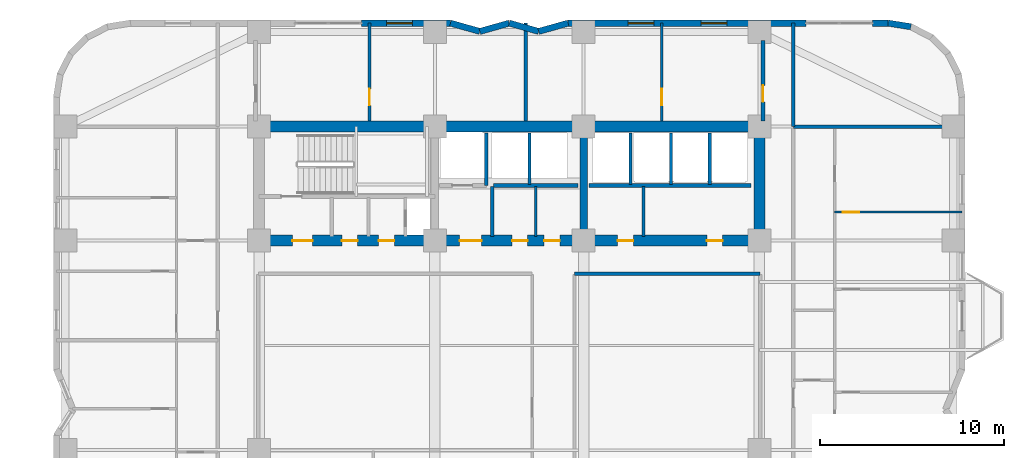
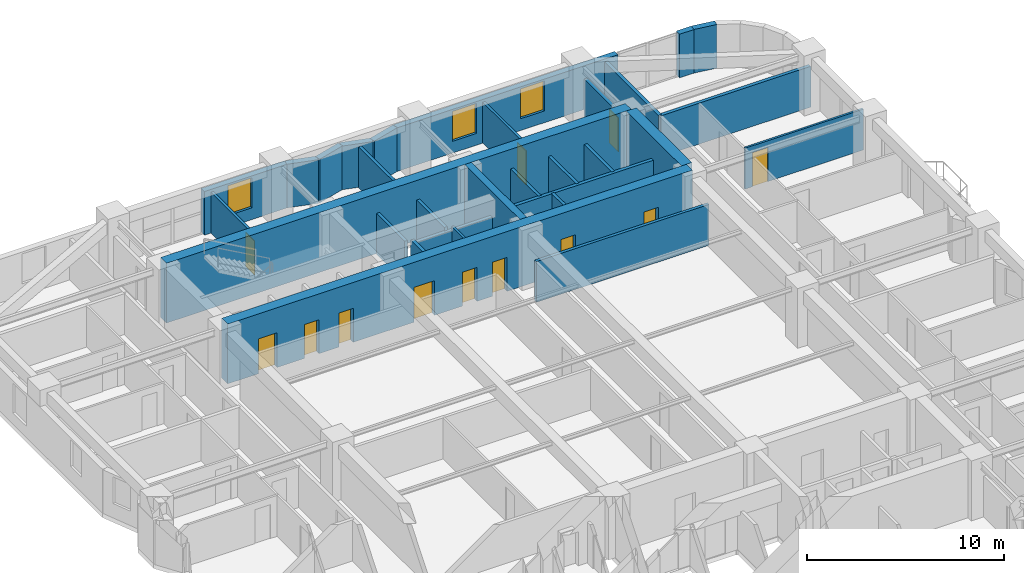
# One storey, part 10 of 13: 30 walls, 12 doors, 3 windows, 15 openings.
"""IFC4 building model written with IfcOpenShell, lengths in metres."""

import ifcopenshell
import ifcopenshell.guid

model = None  # the IFC model being written
_history = None  # IfcOwnerHistory: only IFC2X3 demands one
_inside = {}  # id of a spatial element -> (the spatial element, [elements in it])
_under = {}  # id of a project, library or spatial element -> (it, [spatial elements below it])
_declared = {}  # id of a project -> (the project, [libraries it declares])
_typed = {}  # id of a type object -> (the type object, [elements of that type])
_made_of = {}  # id of a material, layer set ... -> (it, [elements and type objects made of it])


def new_model(schema):
    """Start an empty IFC model of exactly this schema.

    Asked for "IFC4X3", IfcOpenShell would pick the latest addendum, in which some entities
    have other attributes; the version numbers below select the first issue.
    IFC2X3 requires an IfcOwnerHistory on every rooted entity: one is made here for all.
    """
    global model, _history
    if schema == "IFC4X3":
        model = ifcopenshell.file(schema_version=(4, 3, 0, 0))
    else:
        model = ifcopenshell.file(schema=schema)
    _inside.clear()
    _under.clear()
    _declared.clear()
    _typed.clear()
    _made_of.clear()
    _history = None
    if model.schema == "IFC2X3":
        org = make("IfcOrganization", Name="unknown")
        user = make(
            "IfcPersonAndOrganization",
            ThePerson=make("IfcPerson", FamilyName="unknown"),
            TheOrganization=org,
        )
        app = make(
            "IfcApplication",
            ApplicationDeveloper=org,
            Version="unknown",
            ApplicationFullName="unknown",
            ApplicationIdentifier="unknown",
        )
        _history = make(
            "IfcOwnerHistory",
            OwningUser=user,
            OwningApplication=app,
            ChangeAction="ADDED",
            CreationDate=0,
        )
    return model


def make(cls, **values):
    """One entity of the class cls with the attributes given. An attribute that is None is left unset."""
    return model.create_entity(
        cls, **{name: value for name, value in values.items() if value is not None}
    )


def rooted(cls, **values):
    """An entity with a GlobalId (a new one), such as an element, a storey or a relation."""
    return make(cls, GlobalId=ifcopenshell.guid.new(), OwnerHistory=_history, **values)


def si_unit(unit_type, name, prefix=None):
    """IfcSIUnit, for example si_unit("LENGTHUNIT", "METRE", prefix="MILLI")."""
    return make("IfcSIUnit", UnitType=unit_type, Prefix=prefix, Name=name)


def assignment(units):
    """IfcUnitAssignment: the units of a project."""
    return None if units is None else make("IfcUnitAssignment", Units=units)


def point(xyz):
    """IfcCartesianPoint."""
    return None if xyz is None else make("IfcCartesianPoint", Coordinates=xyz)


def direction(xyz):
    """IfcDirection."""
    return None if xyz is None else make("IfcDirection", DirectionRatios=xyz)


def frame(location, z_axis=None, x_axis=None):
    """IfcAxis2Placement3D, a coordinate frame: its origin and axes. An axis left out is left unset."""
    return make(
        "IfcAxis2Placement3D",
        Location=point(location),
        Axis=direction(z_axis),
        RefDirection=direction(x_axis),
    )


def frame_2d(location, x_axis=None):
    """IfcAxis2Placement2D, a coordinate frame in the plane: its origin and x axis."""
    return make(
        "IfcAxis2Placement2D", Location=point(location), RefDirection=direction(x_axis)
    )


def origin():
    """The frame at (0, 0, 0) with its axes left unset."""
    return frame((0.0, 0.0, 0.0))


def place(relative_to, where):
    """IfcLocalPlacement: puts the frame where relative to a parent placement (None: the world)."""
    return make(
        "IfcLocalPlacement", PlacementRelTo=relative_to, RelativePlacement=where
    )


def context(
    kind, dimensions, precision=None, world=None, true_north=None, identifier=None
):
    """IfcGeometricRepresentationContext, for example the 3D "Model" context."""
    return make(
        "IfcGeometricRepresentationContext",
        ContextIdentifier=identifier,
        ContextType=kind,
        CoordinateSpaceDimension=dimensions,
        Precision=precision,
        WorldCoordinateSystem=world,
        TrueNorth=true_north,
    )


def subcontext(parent, identifier, kind, view, scale=None):
    """IfcGeometricRepresentationSubContext, for example "Body" below "Model"."""
    return make(
        "IfcGeometricRepresentationSubContext",
        ContextIdentifier=identifier,
        ContextType=kind,
        ParentContext=parent,
        TargetScale=scale,
        TargetView=view,
    )


def project(units=None, contexts=None):
    """IfcProject with its units and contexts."""
    return rooted(
        "IfcProject",
        Name="project",
        RepresentationContexts=contexts,
        UnitsInContext=assignment(units),
    )


def spatial(cls, under=None, at=None, **own):
    """A site, building, storey or space (cls), placed at a placement, below another one or the project."""
    s = rooted(cls, ObjectPlacement=at, **own)
    if under is not None:
        _under.setdefault(under.id(), (under, []))[1].append(s)
    return s


def profile(cls, at=None, kind="AREA", **sizes):
    """A parametric profile (cls). Its sizes go by their IFC names, for example OverallWidth=200.0."""
    return make(cls, ProfileType=kind, Position=at, **sizes)


def rectangle(**sizes):
    """IfcRectangleProfileDef."""
    return profile("IfcRectangleProfileDef", **sizes)


def extrude(swept, where, along, depth):
    """IfcExtrudedAreaSolid: the profile swept, set in the frame where, extruded along a direction by depth."""
    return make(
        "IfcExtrudedAreaSolid",
        SweptArea=swept,
        Position=where,
        ExtrudedDirection=direction(along),
        Depth=depth,
    )


def shape(context_of_items, identifier, shape_type, items):
    """IfcShapeRepresentation: the items that make up one representation, for example the "Body"."""
    return make(
        "IfcShapeRepresentation",
        ContextOfItems=context_of_items,
        RepresentationIdentifier=identifier,
        RepresentationType=shape_type,
        Items=items,
    )


def material(Name=None, Category=None):
    """IfcMaterial."""
    return make("IfcMaterial", Name=Name, Category=Category)


def layer(
    of_material, thickness, ventilated=None, Name=None, Category=None, Priority=None
):
    """IfcMaterialLayer: one layer of a wall or slab, of a material (None: an air gap)."""
    return make(
        "IfcMaterialLayer",
        Material=of_material,
        LayerThickness=thickness,
        IsVentilated=ventilated,
        Name=Name,
        Category=Category,
        Priority=Priority,
    )


def layer_set(layers, Name=None):
    """IfcMaterialLayerSet."""
    return make("IfcMaterialLayerSet", MaterialLayers=layers, LayerSetName=Name)


def made_of(thing, what):
    """Note that an element or type object is made of a material, layer set ...; save() writes the relation."""
    if what is not None:
        _made_of.setdefault(what.id(), (what, []))[1].append(thing)
    return thing


def type_object(cls, material=None, **own):
    """A type object (cls), such as IfcWallType, which elements share."""
    return made_of(rooted(cls, **own), material)


def element(
    cls,
    number,
    at=None,
    inside=None,
    cuts=None,
    type_object=None,
    material=None,
    context=None,
    identifier="Body",
    shape_type=None,
    held_by="IfcProductDefinitionShape",
    body=None,
    shapes=None,
    **own,
):
    """One element of the class cls, such as IfcWall. Its Tag is "e" and its number.

    at: its placement. inside: the storey or other place that contains it. cuts: it is an
    opening in that element (IfcRelVoidsElement). A single representation is given by context,
    identifier, shape_type and body (its items); several are given by shapes. held_by: the class
    of the entity that holds the representations. save() writes the other relations.
    """
    e = rooted(cls, Tag="e%d" % number, ObjectPlacement=at, **own)
    if body is not None:
        shapes = [shape(context, identifier, shape_type, body)]
    if shapes is not None:
        e.Representation = make(held_by, Representations=shapes)
    if inside is not None:
        _inside.setdefault(inside.id(), (inside, []))[1].append(e)
    if cuts is not None:
        rooted(
            "IfcRelVoidsElement", RelatingBuildingElement=cuts, RelatedOpeningElement=e
        )
    if type_object is not None:
        _typed.setdefault(type_object.id(), (type_object, []))[1].append(e)
    return made_of(e, material)


def fill(opening, filler):
    """IfcRelFillsElement: the door or window that sits in an opening."""
    return rooted(
        "IfcRelFillsElement",
        RelatingOpeningElement=opening,
        RelatedBuildingElement=filler,
    )


def aggregate(whole, parts):
    """IfcRelAggregates: a whole, such as a stair, and the parts it consists of."""
    return rooted("IfcRelAggregates", RelatingObject=whole, RelatedObjects=parts)


def save(model, path):
    """Write the relations noted so far, then the file.

    IfcRelAggregates (storeys below a building ...), IfcRelContainedInSpatialStructure (elements
    in a storey), IfcRelDefinesByType, IfcRelAssociatesMaterial and IfcRelDeclares: one each for
    every whole, place, type object, material and project.
    """
    for whole, parts in _under.values():
        aggregate(whole, parts)
    for where, things in _inside.values():
        rooted(
            "IfcRelContainedInSpatialStructure",
            RelatedElements=things,
            RelatingStructure=where,
        )
    for kind, things in _typed.values():
        rooted("IfcRelDefinesByType", RelatedObjects=things, RelatingType=kind)
    for what, things in _made_of.values():
        rooted("IfcRelAssociatesMaterial", RelatedObjects=things, RelatingMaterial=what)
    for by, libraries in _declared.values():
        rooted("IfcRelDeclares", RelatingContext=by, RelatedDefinitions=libraries)
    model.write(path)


model = new_model("IFC4")

# Units and contexts
model_context = context("Model", 3, precision=1e-05, world=origin(), true_north=direction((0.0, 1.0)))
body_context = subcontext(model_context, "Body", "Model", "MODEL_VIEW")
ifc_project = project(units=[si_unit("LENGTHUNIT", "METRE"), si_unit("AREAUNIT", "SQUARE_METRE"), si_unit("VOLUMEUNIT", "CUBIC_METRE"), si_unit("PLANEANGLEUNIT", "RADIAN"), si_unit("MASSUNIT", "GRAM", prefix="KILO")], contexts=[model_context])

# Site, building, storey
site_placement = place(None, origin())
site = spatial("IfcSite", under=ifc_project, at=site_placement, CompositionType="ELEMENT")
building_placement = place(site_placement, origin())
building = spatial("IfcBuilding", under=site, at=building_placement, Name="Svetorya Sky Lyceum", CompositionType="ELEMENT")
storey_placement = place(building_placement, frame((0.0, 0.0, 39.89990234375)))
storey = spatial("IfcBuildingStorey", under=building, at=storey_placement, Name="L09", CompositionType="ELEMENT", Elevation=39.89990234375)

# Walls
ifc_material_1 = material(Name="Concrete C40/50", Category="concrete")
ifc_layer_1 = layer(ifc_material_1, 0.39990234375)
ifc_layer_set_1 = layer_set([ifc_layer_1], Name="Concrete C40/50")
wall_type_1 = type_object("IfcWallType", Name="WL-CORE-400", PredefinedType="SHEAR", material=ifc_layer_set_1)
wall_1_placement = place(storey_placement, frame((43.25, 39.89990234375, 0.0), z_axis=(0.0, 0.0, 1.0), x_axis=(0.0, 1.0, 0.0)))
element("IfcWall", 1, at=wall_1_placement, inside=storey, type_object=wall_type_1, Name="L09 NC Internal Shear Web WEB2", PredefinedType="SHEAR", context=body_context, shape_type="SweptSolid", body=[
    extrude(rectangle(XDim=5.60009765625, YDim=0.39990234375, at=frame_2d((2.800048828125, 0.0))), origin(), (0.0, 0.0, 1.0), 3.7001953125),
])
ifc_material_2 = material(Name="Concrete C60/75", Category="concrete")
ifc_layer_2 = layer(ifc_material_2, 0.60009765625)
ifc_layer_set_2 = layer_set([ifc_layer_2], Name="Concrete C60/75")
wall_type_2 = type_object("IfcWallType", Name="WL-CORE-600", PredefinedType="SHEAR", material=ifc_layer_set_2)
wall_2_placement = place(storey_placement, frame((25.60009765625, 45.800048828125, 0.0), z_axis=(0.0, 0.0, 1.0), x_axis=(1.0, 0.0, 0.0)))
element("IfcWall", 2, at=wall_2_placement, inside=storey, type_object=wall_type_2, Name="L09 NC Outer Core Shear Wall", PredefinedType="SHEAR", context=body_context, shape_type="SweptSolid", body=[
    extrude(rectangle(XDim=27.199951171875, YDim=0.60009765625, at=frame_2d((13.60009765625, 0.0))), origin(), (0.0, 0.0, 1.0), 3.7001953125),
])
wall_3_placement = place(storey_placement, frame((52.800048828125, 39.89990234375, 0.0), z_axis=(0.0, 0.0, 1.0), x_axis=(0.0, 1.0, 0.0)))
element("IfcWall", 3, at=wall_3_placement, inside=storey, type_object=wall_type_2, Name="L09 NC East Core Shear Wall", PredefinedType="SHEAR", context=body_context, shape_type="SweptSolid", body=[
    extrude(rectangle(XDim=5.60009765625, YDim=0.60009765625, at=frame_2d((2.800048828125, 0.0))), origin(), (0.0, 0.0, 1.0), 3.7001953125),
])

# Wall, openings, doors
wall_4_placement = place(storey_placement, frame((52.800048828125, 39.60009765625, 0.0), z_axis=(0.0, 0.0, 1.0), x_axis=(-1.0, 0.0, 0.0)))
wall_4 = element("IfcWall", 4, at=wall_4_placement, inside=storey, type_object=wall_type_2, Name="L09 NC Inner Core Shear Wall", PredefinedType="SHEAR", context=body_context, shape_type="SweptSolid", body=[
    extrude(rectangle(XDim=27.199951171875, YDim=0.60009765625, at=frame_2d((13.60009765625, 0.0))), origin(), (0.0, 0.0, 1.0), 3.7001953125),
])
opening_1_placement = place(wall_4_placement, frame((24.300048828125, 0.0, 0.0)))
opening_1 = element("IfcOpeningElement", 5, at=opening_1_placement, cuts=wall_4, Name="Opening D-ST1", PredefinedType="OPENING", context=body_context, shape_type="SweptSolid", body=[
    extrude(rectangle(XDim=1.10009765625, YDim=2.14990234375, at=frame_2d((0.550048828125, 1.074951171875))), frame((0.0, 0.31005859375, 0.0), z_axis=(0.0, -1.0, 0.0), x_axis=(1.0, 0.0, 0.0)), (0.0, 0.0, 1.0), 0.6201171875),
])
opening_2_placement = place(wall_4_placement, frame((21.85009765625, 0.0, 0.0)))
opening_2 = element("IfcOpeningElement", 6, at=opening_2_placement, cuts=wall_4, Name="Opening D-CWC1", PredefinedType="OPENING", context=body_context, shape_type="SweptSolid", body=[
    extrude(rectangle(XDim=0.85009765625, YDim=2.10009765625, at=frame_2d((0.425048828125, 1.050048828125))), frame((0.0, 0.31005859375, 0.0), z_axis=(0.0, -1.0, 0.0), x_axis=(1.0, 0.0, 0.0)), (0.0, 0.0, 1.0), 0.6201171875),
])
opening_3_placement = place(wall_4_placement, frame((19.85009765625, 0.0, 0.0)))
opening_3 = element("IfcOpeningElement", 7, at=opening_3_placement, cuts=wall_4, Name="Opening D-CWC1", PredefinedType="OPENING", context=body_context, shape_type="SweptSolid", body=[
    extrude(rectangle(XDim=0.85009765625, YDim=2.10009765625, at=frame_2d((0.425048828125, 1.050048828125))), frame((0.0, 0.31005859375, 0.0), z_axis=(0.0, -1.0, 0.0), x_axis=(1.0, 0.0, 0.0)), (0.0, 0.0, 1.0), 0.6201171875),
])
opening_4_placement = place(wall_4_placement, frame((15.10009765625, 0.0, 0.0)))
opening_4 = element("IfcOpeningElement", 8, at=opening_4_placement, cuts=wall_4, Name="Opening D-FL1", PredefinedType="OPENING", context=body_context, shape_type="SweptSolid", body=[
    extrude(rectangle(XDim=1.199951171875, YDim=2.14990234375, at=frame_2d((0.60009765625, 1.074951171875))), frame((0.0, 0.31005859375, 0.0), z_axis=(0.0, -1.0, 0.0), x_axis=(1.0, 0.0, 0.0)), (0.0, 0.0, 1.0), 0.6201171875),
])
opening_5_placement = place(wall_4_placement, frame((12.60009765625, 0.0, 0.0)))
opening_5 = element("IfcOpeningElement", 9, at=opening_5_placement, cuts=wall_4, Name="Opening D-CWC1", PredefinedType="OPENING", context=body_context, shape_type="SweptSolid", body=[
    extrude(rectangle(XDim=0.85009765625, YDim=2.10009765625, at=frame_2d((0.425048828125, 1.050048828125))), frame((0.0, 0.31005859375, 0.0), z_axis=(0.0, -1.0, 0.0), x_axis=(1.0, 0.0, 0.0)), (0.0, 0.0, 1.0), 0.6201171875),
])
opening_6_placement = place(wall_4_placement, frame((10.85009765625, 0.0, 0.0)))
opening_6 = element("IfcOpeningElement", 10, at=opening_6_placement, cuts=wall_4, Name="Opening D-CWC1", PredefinedType="OPENING", context=body_context, shape_type="SweptSolid", body=[
    extrude(rectangle(XDim=0.85009765625, YDim=2.10009765625, at=frame_2d((0.425048828125, 1.050048828125))), frame((0.0, 0.31005859375, 0.0), z_axis=(0.0, -1.0, 0.0), x_axis=(1.0, 0.0, 0.0)), (0.0, 0.0, 1.0), 0.6201171875),
])
opening_7_placement = place(wall_4_placement, frame((6.85009765625, 0.0, 0.0)))
opening_7 = element("IfcOpeningElement", 11, at=opening_7_placement, cuts=wall_4, Name="Opening D-CWC1", PredefinedType="OPENING", context=body_context, shape_type="SweptSolid", body=[
    extrude(rectangle(XDim=0.85009765625, YDim=2.10009765625, at=frame_2d((0.425048828125, 1.050048828125))), frame((0.0, 0.31005859375, 0.0), z_axis=(0.0, -1.0, 0.0), x_axis=(1.0, 0.0, 0.0)), (0.0, 0.0, 1.0), 0.6201171875),
])
opening_8_placement = place(wall_4_placement, frame((2.0, 0.0, 0.0)))
opening_8 = element("IfcOpeningElement", 12, at=opening_8_placement, cuts=wall_4, Name="Opening D-CWC1", PredefinedType="OPENING", context=body_context, shape_type="SweptSolid", body=[
    extrude(rectangle(XDim=0.85009765625, YDim=2.10009765625, at=frame_2d((0.425048828125, 1.050048828125))), frame((0.0, 0.31005859375, 0.0), z_axis=(0.0, -1.0, 0.0), x_axis=(1.0, 0.0, 0.0)), (0.0, 0.0, 1.0), 0.6201171875),
])
ifc_material_3 = material(Name="Fire-rated galvanized steel core service closet door", Category="steel")
door_type_1 = type_object("IfcDoorType", Name="DR-CWET-850", OperationType="SINGLE_SWING_LEFT", PredefinedType="DOOR", material=ifc_material_3)
door_1_placement = place(opening_2_placement, origin())
door_1 = element("IfcDoor", 13, at=door_1_placement, inside=storey, type_object=door_type_1, Name="L09 North Cleaner Door", OperationType="SINGLE_SWING_RIGHT", OverallHeight=2.10009765625, OverallWidth=0.85009765625, PredefinedType="DOOR", context=body_context, shape_type="SweptSolid", body=[
    extrude(rectangle(XDim=0.85009765625, YDim=2.10009765625, at=frame_2d((0.425048828125, 1.050048828125))), frame((0.0, 0.02490234375, 0.0), z_axis=(0.0, -1.0, 0.0), x_axis=(1.0, 0.0, 0.0)), (0.0, 0.0, 1.0), 0.050048828125),
])
fill(opening_2, door_1)
door_2_placement = place(opening_3_placement, origin())
door_2 = element("IfcDoor", 14, at=door_2_placement, inside=storey, type_object=door_type_1, Name="L09 North Meter Door", OperationType="SINGLE_SWING_LEFT", OverallHeight=2.10009765625, OverallWidth=0.85009765625, PredefinedType="DOOR", context=body_context, shape_type="SweptSolid", body=[
    extrude(rectangle(XDim=0.85009765625, YDim=2.10009765625, at=frame_2d((0.425048828125, 1.050048828125))), frame((0.0, 0.02490234375, 0.0), z_axis=(0.0, -1.0, 0.0), x_axis=(1.0, 0.0, 0.0)), (0.0, 0.0, 1.0), 0.050048828125),
])
fill(opening_3, door_2)
door_3_placement = place(opening_5_placement, origin())
door_3 = element("IfcDoor", 15, at=door_3_placement, inside=storey, type_object=door_type_1, Name="L09 North BMS Door", OperationType="SINGLE_SWING_LEFT", OverallHeight=2.10009765625, OverallWidth=0.85009765625, PredefinedType="DOOR", context=body_context, shape_type="SweptSolid", body=[
    extrude(rectangle(XDim=0.85009765625, YDim=2.10009765625, at=frame_2d((0.425048828125, 1.050048828125))), frame((0.0, 0.02490234375, 0.0), z_axis=(0.0, -1.0, 0.0), x_axis=(1.0, 0.0, 0.0)), (0.0, 0.0, 1.0), 0.050048828125),
])
fill(opening_5, door_3)
door_4_placement = place(opening_6_placement, origin())
door_4 = element("IfcDoor", 16, at=door_4_placement, inside=storey, type_object=door_type_1, Name="L09 North Linen Door", OperationType="SINGLE_SWING_RIGHT", OverallHeight=2.10009765625, OverallWidth=0.85009765625, PredefinedType="DOOR", context=body_context, shape_type="SweptSolid", body=[
    extrude(rectangle(XDim=0.85009765625, YDim=2.10009765625, at=frame_2d((0.425048828125, 1.050048828125))), frame((0.0, 0.02490234375, 0.0), z_axis=(0.0, -1.0, 0.0), x_axis=(1.0, 0.0, 0.0)), (0.0, 0.0, 1.0), 0.050048828125),
])
fill(opening_6, door_4)
door_5_placement = place(opening_7_placement, origin())
door_5 = element("IfcDoor", 17, at=door_5_placement, inside=storey, type_object=door_type_1, Name="L09 North Electrical Door", OperationType="SINGLE_SWING_LEFT", OverallHeight=2.10009765625, OverallWidth=0.85009765625, PredefinedType="DOOR", context=body_context, shape_type="SweptSolid", body=[
    extrude(rectangle(XDim=0.85009765625, YDim=2.10009765625, at=frame_2d((0.425048828125, 1.050048828125))), frame((0.0, 0.02490234375, 0.0), z_axis=(0.0, -1.0, 0.0), x_axis=(1.0, 0.0, 0.0)), (0.0, 0.0, 1.0), 0.050048828125),
])
fill(opening_7, door_5)
door_6_placement = place(opening_8_placement, origin())
door_6 = element("IfcDoor", 18, at=door_6_placement, inside=storey, type_object=door_type_1, Name="L09 North Pram Door", OperationType="SINGLE_SWING_RIGHT", OverallHeight=2.10009765625, OverallWidth=0.85009765625, PredefinedType="DOOR", context=body_context, shape_type="SweptSolid", body=[
    extrude(rectangle(XDim=0.85009765625, YDim=2.10009765625, at=frame_2d((0.425048828125, 1.050048828125))), frame((0.0, 0.02490234375, 0.0), z_axis=(0.0, -1.0, 0.0), x_axis=(1.0, 0.0, 0.0)), (0.0, 0.0, 1.0), 0.050048828125),
])
fill(opening_8, door_6)
ifc_material_4 = material(Name="Powder-coated insulated galvanized stair fire door")
door_type_2 = type_object("IfcDoorType", Name="DR-FIRE-1100", OperationType="SINGLE_SWING_LEFT", PredefinedType="DOOR", material=ifc_material_4)
door_7_placement = place(opening_1_placement, origin())
door_7 = element("IfcDoor", 19, at=door_7_placement, inside=storey, type_object=door_type_2, Name="L09 North Stair Airlock Door", OperationType="SINGLE_SWING_LEFT", OverallHeight=2.14990234375, OverallWidth=1.10009765625, PredefinedType="DOOR", context=body_context, shape_type="SweptSolid", body=[
    extrude(rectangle(XDim=1.10009765625, YDim=2.14990234375, at=frame_2d((0.550048828125, 1.074951171875))), frame((0.0, 0.02490234375, 0.0), z_axis=(0.0, -1.0, 0.0), x_axis=(1.0, 0.0, 0.0)), (0.0, 0.0, 1.0), 0.050048828125),
])
fill(opening_1, door_7)
ifc_material_5 = material(Name="Powder-coated insulated galvanized fire door")
door_type_3 = type_object("IfcDoorType", Name="DR-FIRE-1200", OperationType="SINGLE_SWING_LEFT", PredefinedType="DOOR", material=ifc_material_5)
door_8_placement = place(opening_4_placement, origin())
door_8 = element("IfcDoor", 20, at=door_8_placement, inside=storey, type_object=door_type_3, Name="L09 North Firefighting Lift Lobby Door", OperationType="SINGLE_SWING_RIGHT", OverallHeight=2.14990234375, OverallWidth=1.199951171875, PredefinedType="DOOR", context=body_context, shape_type="SweptSolid", body=[
    extrude(rectangle(XDim=1.199951171875, YDim=2.14990234375, at=frame_2d((0.60009765625, 1.074951171875))), frame((0.0, 0.02490234375, 0.0), z_axis=(0.0, -1.0, 0.0), x_axis=(1.0, 0.0, 0.0)), (0.0, 0.0, 1.0), 0.050048828125),
])
fill(opening_4, door_8)

# Walls
ifc_material_6 = material(Name="Putilovo limestone rainscreen on autoclaved cellular masonry", Category="masonry")
ifc_layer_3 = layer(ifc_material_6, 0.340087890625)
ifc_layer_set_3 = layer_set([ifc_layer_3], Name="Putilovo limestone rainscreen on autoclaved cellular masonry")
wall_type_3 = type_object("IfcWallType", Name="WL-EXT-340", PredefinedType="SOLIDWALL", material=ifc_layer_set_3)
wall_5_placement = place(storey_placement, frame((61.04541015625, 51.23291015625, 0.0), z_axis=(0.0, 0.0, 1.0), x_axis=(-0.98771582066, 0.156260864002, 0.0)))
element("IfcWall", 21, at=wall_5_placement, inside=storey, type_object=wall_type_3, Name="L09 Limestone Exterior Wall 28M", PredefinedType="SOLIDWALL", context=body_context, shape_type="SweptSolid", body=[
    extrude(rectangle(XDim=1.2607421875, YDim=0.340087890625, at=frame_2d((0.63037109375, 0.0))), origin(), (0.0, 0.0, 1.0), 2.7001953125),
])
wall_6_placement = place(storey_placement, frame((59.800048828125, 51.429931640625, 0.0), z_axis=(0.0, 0.0, 1.0), x_axis=(-1.0, 0.0, 0.0)))
element("IfcWall", 22, at=wall_6_placement, inside=storey, type_object=wall_type_3, Name="L09 Limestone Exterior Wall 29A", PredefinedType="SOLIDWALL", context=body_context, shape_type="SweptSolid", body=[
    extrude(rectangle(XDim=0.85009765625, YDim=0.340087890625, at=frame_2d((0.425048828125, 0.0))), origin(), (0.0, 0.0, 1.0), 2.7001953125),
])

# Wall, openings, windows
wall_7_placement = place(storey_placement, frame((55.35009765625, 51.429931640625, 0.0), z_axis=(0.0, 0.0, 1.0), x_axis=(-1.0, 0.0, 0.0)))
wall_7 = element("IfcWall", 23, at=wall_7_placement, inside=storey, type_object=wall_type_3, Name="L09 Limestone Exterior Wall 29B", PredefinedType="SOLIDWALL", context=body_context, shape_type="SweptSolid", body=[
    extrude(rectangle(XDim=12.9501953125, YDim=0.340087890625, at=frame_2d((6.47509765625, 0.0))), origin(), (0.0, 0.0, 1.0), 2.7001953125),
])
opening_9_placement = place(wall_7_placement, frame((4.31884765625, 0.0, 0.72998046875)))
opening_9 = element("IfcOpeningElement", 24, at=opening_9_placement, cuts=wall_7, Name="Opening W-R2", PredefinedType="OPENING", context=body_context, shape_type="SweptSolid", body=[
    extrude(rectangle(XDim=1.39990234375, YDim=1.85009765625, at=frame_2d((0.699951171875, 0.925048828125))), frame((0.0, 0.179931640625, 0.0), z_axis=(0.0, -1.0, 0.0), x_axis=(1.0, 0.0, 0.0)), (0.0, 0.0, 1.0), 0.360107421875),
])
opening_10_placement = place(wall_7_placement, frame((8.28125, 0.0, 0.72998046875)))
opening_10 = element("IfcOpeningElement", 25, at=opening_10_placement, cuts=wall_7, Name="Opening W-R2", PredefinedType="OPENING", context=body_context, shape_type="SweptSolid", body=[
    extrude(rectangle(XDim=1.39990234375, YDim=1.85009765625, at=frame_2d((0.699951171875, 0.925048828125))), frame((0.0, 0.179931640625, 0.0), z_axis=(0.0, -1.0, 0.0), x_axis=(1.0, 0.0, 0.0)), (0.0, 0.0, 1.0), 0.360107421875),
])
ifc_material_7 = material(Name="Thermally broken aluminium frame with triple low-E glazing", Category="aluminium")
window_type = type_object("IfcWindowType", Name="WN-RES-140", PartitioningType="SINGLE_PANEL", PredefinedType="WINDOW", material=ifc_material_7)
window_1_placement = place(opening_9_placement, origin())
window_1 = element("IfcWindow", 26, at=window_1_placement, inside=storey, type_object=window_type, Name="L09 Facade Window W-R2.29B.1", OverallHeight=1.85009765625, OverallWidth=1.39990234375, PartitioningType="SINGLE_PANEL", PredefinedType="WINDOW", context=body_context, shape_type="SweptSolid", body=[
    extrude(rectangle(XDim=1.39990234375, YDim=1.85009765625, at=frame_2d((0.699951171875, 0.925048828125))), frame((0.0, 0.030029296875, 0.0), z_axis=(0.0, -1.0, 0.0), x_axis=(1.0, 0.0, 0.0)), (0.0, 0.0, 1.0), 0.06005859375),
])
fill(opening_9, window_1)
window_2_placement = place(opening_10_placement, origin())
window_2 = element("IfcWindow", 27, at=window_2_placement, inside=storey, type_object=window_type, Name="L09 Facade Window W-R2.29B.2", OverallHeight=1.85009765625, OverallWidth=1.39990234375, PartitioningType="SINGLE_PANEL", PredefinedType="WINDOW", context=body_context, shape_type="SweptSolid", body=[
    extrude(rectangle(XDim=1.39990234375, YDim=1.85009765625, at=frame_2d((0.699951171875, 0.925048828125))), frame((0.0, 0.030029296875, 0.0), z_axis=(0.0, -1.0, 0.0), x_axis=(1.0, 0.0, 0.0)), (0.0, 0.0, 1.0), 0.06005859375),
])
fill(opening_10, window_2)

# Walls
wall_8_placement = place(storey_placement, frame((42.39990234375, 51.429931640625, 0.0), z_axis=(0.0, 0.0, 1.0), x_axis=(-0.962652136636, -0.270741322725, 0.0)))
element("IfcWall", 28, at=wall_8_placement, inside=storey, type_object=wall_type_3, Name="L09 Limestone Exterior Wall 30M", PredefinedType="SOLIDWALL", context=body_context, shape_type="SweptSolid", body=[
    extrude(rectangle(XDim=1.661865234375, YDim=0.340087890625, at=frame_2d((0.8310546875, 0.0))), origin(), (0.0, 0.0, 1.0), 2.7001953125),
])
wall_9_placement = place(storey_placement, frame((40.800048828125, 50.97998046875, 0.0), z_axis=(0.0, 0.0, 1.0), x_axis=(-0.962662902433, 0.270703040766, 0.0)))
element("IfcWall", 29, at=wall_9_placement, inside=storey, type_object=wall_type_3, Name="L09 Limestone Exterior Wall 31M", PredefinedType="SOLIDWALL", context=body_context, shape_type="SweptSolid", body=[
    extrude(rectangle(XDim=1.662109375, YDim=0.340087890625, at=frame_2d((0.8310546875, 0.0))), origin(), (0.0, 0.0, 1.0), 2.7001953125),
])
wall_10_placement = place(storey_placement, frame((39.199951171875, 51.429931640625, 0.0), z_axis=(0.0, 0.0, 1.0), x_axis=(-0.962652136636, -0.270741322725, 0.0)))
element("IfcWall", 30, at=wall_10_placement, inside=storey, type_object=wall_type_3, Name="L09 Limestone Exterior Wall 32M", PredefinedType="SOLIDWALL", context=body_context, shape_type="SweptSolid", body=[
    extrude(rectangle(XDim=1.661865234375, YDim=0.340087890625, at=frame_2d((0.8310546875, 0.0))), origin(), (0.0, 0.0, 1.0), 2.7001953125),
])
wall_11_placement = place(storey_placement, frame((37.60009765625, 50.97998046875, 0.0), z_axis=(0.0, 0.0, 1.0), x_axis=(-0.962662902433, 0.270703040766, 0.0)))
element("IfcWall", 31, at=wall_11_placement, inside=storey, type_object=wall_type_3, Name="L09 Limestone Exterior Wall 33M", PredefinedType="SOLIDWALL", context=body_context, shape_type="SweptSolid", body=[
    extrude(rectangle(XDim=1.662109375, YDim=0.340087890625, at=frame_2d((0.8310546875, 0.0))), origin(), (0.0, 0.0, 1.0), 2.7001953125),
])

# Wall, opening, window
wall_12_placement = place(storey_placement, frame((36.0, 51.429931640625, 0.0), z_axis=(0.0, 0.0, 1.0), x_axis=(-1.0, 0.0, 0.0)))
wall_12 = element("IfcWall", 32, at=wall_12_placement, inside=storey, type_object=wall_type_3, Name="L09 Limestone Exterior Wall 34A", PredefinedType="SOLIDWALL", context=body_context, shape_type="SweptSolid", body=[
    extrude(rectangle(XDim=4.85009765625, YDim=0.340087890625, at=frame_2d((2.425048828125, 0.0))), origin(), (0.0, 0.0, 1.0), 2.7001953125),
])
opening_11_placement = place(wall_12_placement, frame((2.074951171875, 0.0, 0.72998046875)))
opening_11 = element("IfcOpeningElement", 33, at=opening_11_placement, cuts=wall_12, Name="Opening W-R2", PredefinedType="OPENING", context=body_context, shape_type="SweptSolid", body=[
    extrude(rectangle(XDim=1.39990234375, YDim=1.85009765625, at=frame_2d((0.699951171875, 0.925048828125))), frame((0.0, 0.179931640625, 0.0), z_axis=(0.0, -1.0, 0.0), x_axis=(1.0, 0.0, 0.0)), (0.0, 0.0, 1.0), 0.360107421875),
])
window_3_placement = place(opening_11_placement, origin())
window_3 = element("IfcWindow", 34, at=window_3_placement, inside=storey, type_object=window_type, Name="L09 Facade Window W-R2.34A.1", OverallHeight=1.85009765625, OverallWidth=1.39990234375, PartitioningType="SINGLE_PANEL", PredefinedType="WINDOW", context=body_context, shape_type="SweptSolid", body=[
    extrude(rectangle(XDim=1.39990234375, YDim=1.85009765625, at=frame_2d((0.699951171875, 0.925048828125))), frame((0.0, 0.030029296875, 0.0), z_axis=(0.0, -1.0, 0.0), x_axis=(1.0, 0.0, 0.0)), (0.0, 0.0, 1.0), 0.06005859375),
])
fill(opening_11, window_3)

# Wall, opening, door
ifc_material_8 = material(Name="Twin-stud galvanized framing with double fireboard", Category="gypsum")
ifc_layer_4 = layer(ifc_material_8, 0.1201171875)
ifc_layer_set_4 = layer_set([ifc_layer_4], Name="Twin-stud galvanized framing with double fireboard")
wall_type_4 = type_object("IfcWallType", Name="WL-PART-120", PredefinedType="PARTITIONING", material=ifc_layer_set_4)
wall_13_placement = place(storey_placement, frame((56.89990234375, 41.14990234375, 0.0), z_axis=(0.0, 0.0, 1.0), x_axis=(1.0, 0.0, 0.0)))
wall_13 = element("IfcWall", 35, at=wall_13_placement, inside=storey, type_object=wall_type_4, Name="L09 Interior Partition E2-WL3", PredefinedType="PARTITIONING", context=body_context, shape_type="SweptSolid", body=[
    extrude(rectangle(XDim=6.93017578125, YDim=0.1201171875, at=frame_2d((3.465087890625, 0.0))), origin(), (0.0, 0.0, 1.0), 2.530029296875),
])
opening_12_placement = place(wall_13_placement, frame((0.449951171875, 0.0, 0.0)))
opening_12 = element("IfcOpeningElement", 36, at=opening_12_placement, cuts=wall_13, Name="Opening D-RM1", PredefinedType="OPENING", context=body_context, shape_type="SweptSolid", body=[
    extrude(rectangle(XDim=0.89990234375, YDim=2.10009765625, at=frame_2d((0.449951171875, 1.050048828125))), frame((0.0, 0.070068359375, 0.0), z_axis=(0.0, -1.0, 0.0), x_axis=(1.0, 0.0, 0.0)), (0.0, 0.0, 1.0), 0.14013671875),
])
ifc_material_9 = material(Name="Lacquered birch veneer internal door")
door_type_4 = type_object("IfcDoorType", Name="DR-INT-900", OperationType="SINGLE_SWING_LEFT", PredefinedType="DOOR", material=ifc_material_9)
door_9_placement = place(opening_12_placement, origin())
door_9 = element("IfcDoor", 37, at=door_9_placement, inside=storey, type_object=door_type_4, Name="Apartment E2 Bedroom 3 Door", OperationType="SINGLE_SWING_LEFT", OverallHeight=2.10009765625, OverallWidth=0.89990234375, PredefinedType="DOOR", context=body_context, shape_type="SweptSolid", body=[
    extrude(rectangle(XDim=0.89990234375, YDim=2.10009765625, at=frame_2d((0.449951171875, 1.050048828125))), frame((0.0, 0.02490234375, 0.0), z_axis=(0.0, -1.0, 0.0), x_axis=(1.0, 0.0, 0.0)), (0.0, 0.0, 1.0), 0.050048828125),
])
fill(opening_12, door_9)

# Wall
ifc_material_10 = material(Name="Twin-stud galvanized framing with acoustic board", Category="gypsum")
ifc_layer_5 = layer(ifc_material_10, 0.135009765625)
ifc_layer_set_5 = layer_set([ifc_layer_5], Name="Twin-stud galvanized framing with acoustic board")
wall_type_5 = type_object("IfcWallType", Name="WL-PART-135", PredefinedType="PARTITIONING", material=ifc_layer_set_5)
wall_14_placement = place(storey_placement, frame((40.64990234375, 39.820068359375, 0.0), z_axis=(0.0, 0.0, 1.0), x_axis=(0.0, 1.0, 0.0)))
element("IfcWall", 38, at=wall_14_placement, inside=storey, type_object=wall_type_5, Name="L09 Interior Partition NC-Z1D", PredefinedType="PARTITIONING", context=body_context, shape_type="SweptSolid", body=[
    extrude(rectangle(XDim=2.72998046875, YDim=0.135009765625, at=frame_2d((1.364990234375, 0.0))), origin(), (0.0, 0.0, 1.0), 2.530029296875),
])

# Wall, opening, door
ifc_material_11 = material(Name="Autoclaved cellular masonry blockwork with acoustic render", Category="masonry")
ifc_layer_6 = layer(ifc_material_11, 0.14990234375)
ifc_layer_set_6 = layer_set([ifc_layer_6], Name="Autoclaved cellular masonry blockwork with acoustic render")
wall_type_6 = type_object("IfcWallType", Name="WL-PART-150", PredefinedType="PARTITIONING", material=ifc_layer_set_6)
wall_15_placement = place(storey_placement, frame((31.60009765625, 46.10009765625, 0.0), z_axis=(0.0, 0.0, 1.0), x_axis=(0.0, 1.0, 0.0)))
wall_15 = element("IfcWall", 39, at=wall_15_placement, inside=storey, type_object=wall_type_6, Name="L09 Interior Partition N4-D1", PredefinedType="PARTITIONING", context=body_context, shape_type="SweptSolid", body=[
    extrude(rectangle(XDim=5.329833984375, YDim=0.14990234375, at=frame_2d((2.6650390625, 0.0))), origin(), (0.0, 0.0, 1.0), 2.530029296875),
])
opening_13_placement = place(wall_15_placement, frame((0.85009765625, 0.0, 0.0)))
opening_13 = element("IfcOpeningElement", 40, at=opening_13_placement, cuts=wall_15, Name="Opening D-RM1", PredefinedType="OPENING", context=body_context, shape_type="SweptSolid", body=[
    extrude(rectangle(XDim=0.89990234375, YDim=2.10009765625, at=frame_2d((0.449951171875, 1.050048828125))), frame((0.0, 0.0849609375, 0.0), z_axis=(0.0, -1.0, 0.0), x_axis=(1.0, 0.0, 0.0)), (0.0, 0.0, 1.0), 0.169921875),
])
door_10_placement = place(opening_13_placement, origin())
door_10 = element("IfcDoor", 41, at=door_10_placement, inside=storey, type_object=door_type_4, Name="L09 North Suite Door 1", OperationType="SINGLE_SWING_RIGHT", OverallHeight=2.10009765625, OverallWidth=0.89990234375, PredefinedType="DOOR", context=body_context, shape_type="SweptSolid", body=[
    extrude(rectangle(XDim=0.89990234375, YDim=2.10009765625, at=frame_2d((0.449951171875, 1.050048828125))), frame((0.0, 0.02490234375, 0.0), z_axis=(0.0, -1.0, 0.0), x_axis=(1.0, 0.0, 0.0)), (0.0, 0.0, 1.0), 0.050048828125),
])
fill(opening_13, door_10)

wall_16_placement = place(storey_placement, frame((47.5, 46.10009765625, 0.0), z_axis=(0.0, 0.0, 1.0), x_axis=(0.0, 1.0, 0.0)))
wall_16 = element("IfcWall", 42, at=wall_16_placement, inside=storey, type_object=wall_type_6, Name="L09 Interior Partition N4-D3", PredefinedType="PARTITIONING", context=body_context, shape_type="SweptSolid", body=[
    extrude(rectangle(XDim=5.329833984375, YDim=0.14990234375, at=frame_2d((2.6650390625, 0.0))), origin(), (0.0, 0.0, 1.0), 2.530029296875),
])
opening_14_placement = place(wall_16_placement, frame((0.85009765625, 0.0, 0.0)))
opening_14 = element("IfcOpeningElement", 43, at=opening_14_placement, cuts=wall_16, Name="Opening D-RM1", PredefinedType="OPENING", context=body_context, shape_type="SweptSolid", body=[
    extrude(rectangle(XDim=0.89990234375, YDim=2.10009765625, at=frame_2d((0.449951171875, 1.050048828125))), frame((0.0, 0.0849609375, 0.0), z_axis=(0.0, -1.0, 0.0), x_axis=(1.0, 0.0, 0.0)), (0.0, 0.0, 1.0), 0.169921875),
])
door_11_placement = place(opening_14_placement, origin())
door_11 = element("IfcDoor", 44, at=door_11_placement, inside=storey, type_object=door_type_4, Name="L09 North Suite Door 3", OperationType="SINGLE_SWING_RIGHT", OverallHeight=2.10009765625, OverallWidth=0.89990234375, PredefinedType="DOOR", context=body_context, shape_type="SweptSolid", body=[
    extrude(rectangle(XDim=0.89990234375, YDim=2.10009765625, at=frame_2d((0.449951171875, 1.050048828125))), frame((0.0, 0.02490234375, 0.0), z_axis=(0.0, -1.0, 0.0), x_axis=(1.0, 0.0, 0.0)), (0.0, 0.0, 1.0), 0.050048828125),
])
fill(opening_14, door_11)

# Walls
ifc_material_12 = material(Name="Autoclaved cellular masonry blockwork with fire render", Category="masonry")
ifc_layer_7 = layer(ifc_material_12, 0.175048828125)
ifc_layer_set_7 = layer_set([ifc_layer_7], Name="Autoclaved cellular masonry blockwork with fire render")
wall_type_7 = type_object("IfcWallType", Name="WL-PART-175", PredefinedType="PARTITIONING", material=ifc_layer_set_7)
wall_17_placement = place(storey_placement, frame((37.949951171875, 42.60009765625, 0.0), z_axis=(0.0, 0.0, 1.0), x_axis=(0.0, 1.0, 0.0)))
element("IfcWall", 45, at=wall_17_placement, inside=storey, type_object=wall_type_7, Name="L09 Interior Partition NC-FL1SIDE", PredefinedType="PARTITIONING", context=body_context, shape_type="SweptSolid", body=[
    extrude(rectangle(XDim=2.849853515625, YDim=0.175048828125, at=frame_2d((1.4248046875, 0.0))), origin(), (0.0, 0.0, 1.0), 2.530029296875),
])
for number, where, z_axis, x_axis, name in (
    (46, (40.300048828125, 42.64990234375, 0.0), (0.0, 0.0, 1.0), (0.0, 1.0, 0.0), "L09 Interior Partition NC-PM-D1"),
    (47, (45.800048828125, 42.64990234375, 0.0), (0.0, 0.0, 1.0), (0.0, 1.0, 0.0), "L09 Interior Partition NC-PM3-D"),
    (48, (48.0, 42.64990234375, 0.0), (0.0, 0.0, 1.0), (0.0, 1.0, 0.0), "L09 Interior Partition NC-PH-D1"),
    (49, (50.10009765625, 42.64990234375, 0.0), (0.0, 0.0, 1.0), (0.0, 1.0, 0.0), "L09 Interior Partition NC-PH-D2"),
):
    element("IfcWall", number, at=place(storey_placement, frame(where, z_axis=z_axis, x_axis=x_axis)), inside=storey, type_object=wall_type_7, Name=name, PredefinedType="PARTITIONING", context=body_context, shape_type="SweptSolid", body=[
        extrude(rectangle(XDim=2.800048828125, YDim=0.175048828125, at=frame_2d((1.39990234375, 0.0))), origin(), (0.0, 0.0, 1.0), 2.530029296875),
    ])
wall_18_placement = place(storey_placement, frame((46.5, 39.820068359375, 0.0), z_axis=(0.0, 0.0, 1.0), x_axis=(0.0, 1.0, 0.0)))
element("IfcWall", 50, at=wall_18_placement, inside=storey, type_object=wall_type_7, Name="L09 Interior Partition NC-ED1", PredefinedType="PARTITIONING", context=body_context, shape_type="SweptSolid", body=[
    extrude(rectangle(XDim=2.72998046875, YDim=0.175048828125, at=frame_2d((1.364990234375, 0.0))), origin(), (0.0, 0.0, 1.0), 2.530029296875),
])
wall_19_placement = place(storey_placement, frame((42.75, 37.800048828125, 0.0), z_axis=(0.0, 0.0, 1.0), x_axis=(1.0, 0.0, 0.0)))
element("IfcWall", 51, at=wall_19_placement, inside=storey, type_object=wall_type_7, Name="L09 Interior Partition CN-MID-E", PredefinedType="PARTITIONING", context=body_context, shape_type="SweptSolid", body=[
    extrude(rectangle(XDim=10.10009765625, YDim=0.175048828125, at=frame_2d((5.050048828125, 0.0))), origin(), (0.0, 0.0, 1.0), 2.530029296875),
])
wall_20_placement = place(storey_placement, frame((40.10009765625, 46.10009765625, 0.0), z_axis=(0.0, 0.0, 1.0), x_axis=(0.0, 1.0, 0.0)))
element("IfcWall", 52, at=wall_20_placement, inside=storey, type_object=wall_type_7, Name="L09 Interior Partition N4-D2", PredefinedType="PARTITIONING", context=body_context, shape_type="SweptSolid", body=[
    extrude(rectangle(XDim=5.329833984375, YDim=0.175048828125, at=frame_2d((2.6650390625, 0.0))), origin(), (0.0, 0.0, 1.0), 2.530029296875),
])
ifc_material_13 = material(Name="Autoclaved cellular masonry blockwork with gypsum plaster", Category="masonry")
ifc_layer_8 = layer(ifc_material_13, 0.199951171875)
ifc_layer_set_8 = layer_set([ifc_layer_8], Name="Autoclaved cellular masonry blockwork with gypsum plaster")
wall_type_8 = type_object("IfcWallType", Name="WL-PART-200", PredefinedType="PARTITIONING", material=ifc_layer_set_8)
wall_21_placement = place(storey_placement, frame((38.280029296875, 39.820068359375, 0.0), z_axis=(0.0, 0.0, 1.0), x_axis=(0.0, 1.0, 0.0)))
element("IfcWall", 53, at=wall_21_placement, inside=storey, type_object=wall_type_8, Name="L09 Interior Partition NC-FFLDIV", PredefinedType="PARTITIONING", context=body_context, shape_type="SweptSolid", body=[
    extrude(rectangle(XDim=2.72998046875, YDim=0.199951171875, at=frame_2d((1.364990234375, 0.0))), origin(), (0.0, 0.0, 1.0), 2.530029296875),
])
wall_22_placement = place(storey_placement, frame((42.949951171875, 42.60009765625, 0.0), z_axis=(0.0, 0.0, 1.0), x_axis=(-1.0, 0.0, 0.0)))
element("IfcWall", 54, at=wall_22_placement, inside=storey, type_object=wall_type_8, Name="L09 Interior Partition NC-PM12W", PredefinedType="PARTITIONING", context=body_context, shape_type="SweptSolid", body=[
    extrude(rectangle(XDim=4.599853515625, YDim=0.199951171875, at=frame_2d((2.2998046875, 0.0))), origin(), (0.0, 0.0, 1.0), 2.300048828125),
])
wall_23_placement = place(storey_placement, frame((52.35009765625, 42.60009765625, 0.0), z_axis=(0.0, 0.0, 1.0), x_axis=(-1.0, 0.0, 0.0)))
element("IfcWall", 55, at=wall_23_placement, inside=storey, type_object=wall_type_8, Name="L09 Interior Partition NC-PHEW", PredefinedType="PARTITIONING", context=body_context, shape_type="SweptSolid", body=[
    extrude(rectangle(XDim=8.800048828125, YDim=0.199951171875, at=frame_2d((4.39990234375, 0.0))), origin(), (0.0, 0.0, 1.0), 2.530029296875),
])
wall_24_placement = place(storey_placement, frame((54.64990234375, 45.800048828125, 0.0), z_axis=(0.0, 0.0, 1.0), x_axis=(1.0, 0.0, 0.0)))
element("IfcWall", 56, at=wall_24_placement, inside=storey, type_object=wall_type_8, Name="L09 Interior Partition E-CAP-N", PredefinedType="PARTITIONING", context=body_context, shape_type="SweptSolid", body=[
    extrude(rectangle(XDim=8.760009765625, YDim=0.199951171875, at=frame_2d((4.3798828125, 0.0))), origin(), (0.0, 0.0, 1.0), 2.530029296875),
])
wall_25_placement = place(storey_placement, frame((54.64990234375, 45.800048828125, 0.0), z_axis=(0.0, 0.0, 1.0), x_axis=(0.0, 1.0, 0.0)))
element("IfcWall", 57, at=wall_25_placement, inside=storey, type_object=wall_type_8, Name="L09 Interior Partition EC-NE-END", PredefinedType="PARTITIONING", context=body_context, shape_type="SweptSolid", body=[
    extrude(rectangle(XDim=5.6298828125, YDim=0.199951171875, at=frame_2d((2.81494140625, 0.0))), origin(), (0.0, 0.0, 1.0), 2.530029296875),
])

# Wall, opening, door
wall_26_placement = place(storey_placement, frame((53.0, 46.10009765625, 0.0), z_axis=(0.0, 0.0, 1.0), x_axis=(0.0, 1.0, 0.0)))
wall_26 = element("IfcWall", 58, at=wall_26_placement, inside=storey, type_object=wall_type_8, Name="L09 Interior Partition N4-EE", PredefinedType="PARTITIONING", context=body_context, shape_type="SweptSolid", body=[
    extrude(rectangle(XDim=4.3798828125, YDim=0.199951171875, at=frame_2d((2.18994140625, 0.0))), origin(), (0.0, 0.0, 1.0), 2.530029296875),
])
opening_15_placement = place(wall_26_placement, frame((1.050048828125, 0.0, 0.0)))
opening_15 = element("IfcOpeningElement", 59, at=opening_15_placement, cuts=wall_26, Name="Opening D-RM1", PredefinedType="OPENING", context=body_context, shape_type="SweptSolid", body=[
    extrude(rectangle(XDim=0.89990234375, YDim=2.10009765625, at=frame_2d((0.449951171875, 1.050048828125))), frame((0.0, 0.10986328125, 0.0), z_axis=(0.0, -1.0, 0.0), x_axis=(1.0, 0.0, 0.0)), (0.0, 0.0, 1.0), 0.219970703125),
])
door_12_placement = place(opening_15_placement, origin())
door_12 = element("IfcDoor", 60, at=door_12_placement, inside=storey, type_object=door_type_4, Name="L09 NE Office Door", OperationType="SINGLE_SWING_LEFT", OverallHeight=2.10009765625, OverallWidth=0.89990234375, PredefinedType="DOOR", context=body_context, shape_type="SweptSolid", body=[
    extrude(rectangle(XDim=0.89990234375, YDim=2.10009765625, at=frame_2d((0.449951171875, 1.050048828125))), frame((0.0, 0.02490234375, 0.0), z_axis=(0.0, -1.0, 0.0), x_axis=(1.0, 0.0, 0.0)), (0.0, 0.0, 1.0), 0.050048828125),
])
fill(opening_15, door_12)

save(model, "model.ifc")
